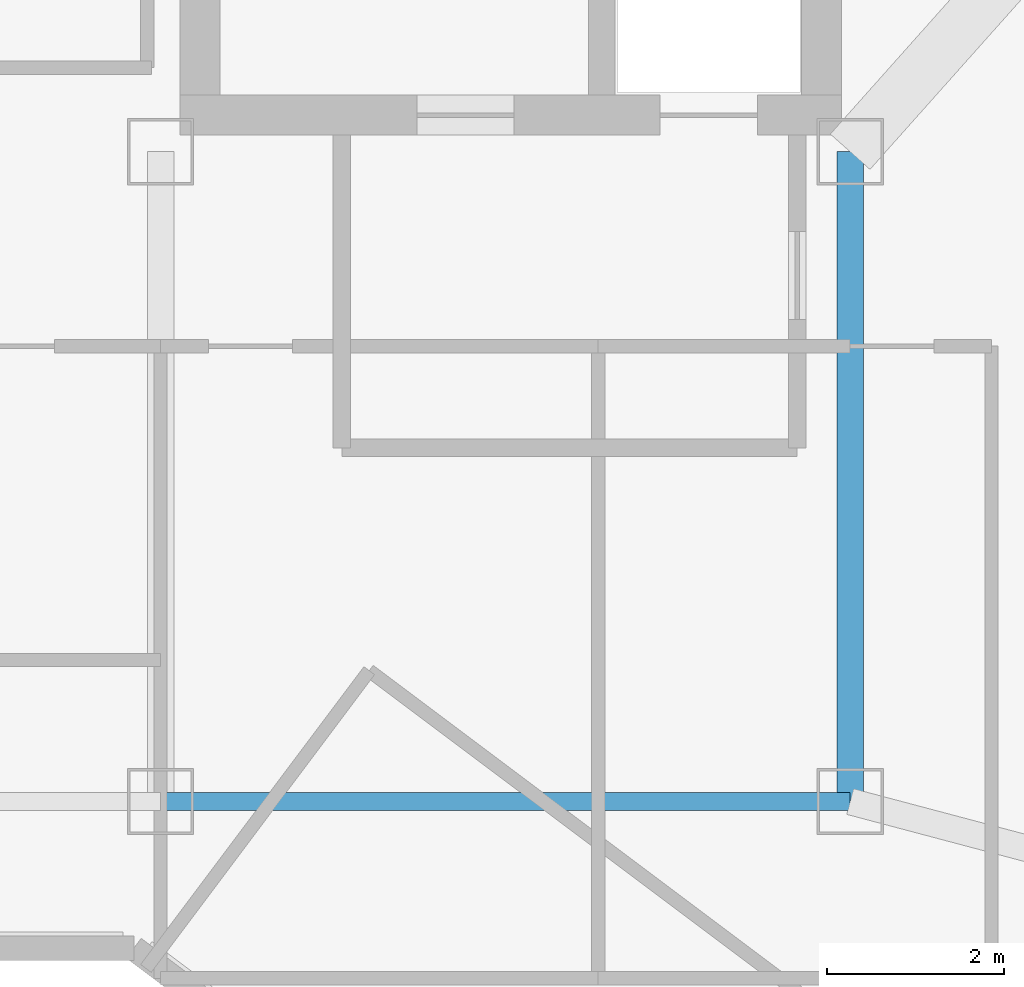
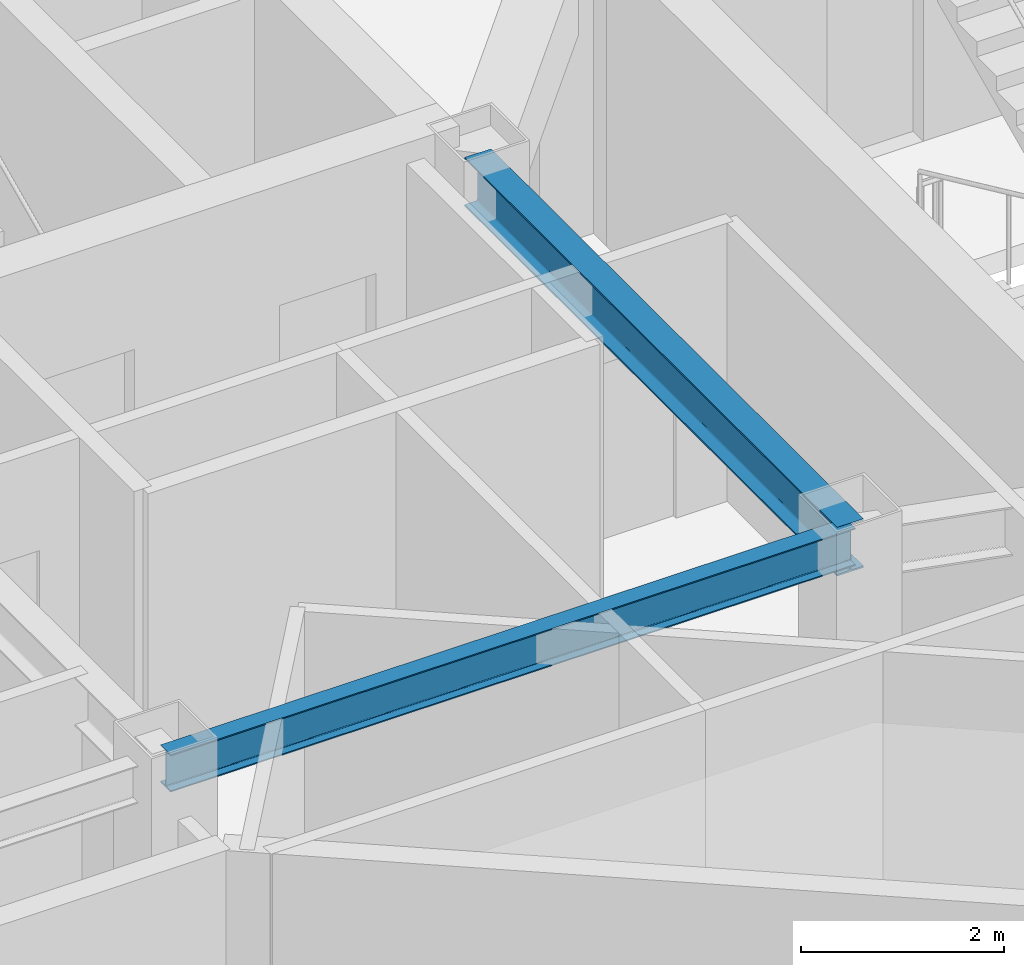
# One storey, part 5 of 26: 2 beams.
"""IFC4 building model written with IfcOpenShell, lengths in metres."""

from ifc_helpers import new_model, si_unit, direction, frame, origin, origin_2d, place, context, subcontext, project, spatial, i_section, extrude, material, material_profile, profile_set, type_object, element, save


model = new_model("IFC4")

# Units and contexts
model_context = context("Model", 3, precision=1e-05, world=origin(), true_north=direction((0.0, 1.0)))
body_context = subcontext(model_context, "Body", "Model", "MODEL_VIEW")
ifc_project = project(units=[si_unit("LENGTHUNIT", "METRE"), si_unit("AREAUNIT", "SQUARE_METRE"), si_unit("VOLUMEUNIT", "CUBIC_METRE"), si_unit("PLANEANGLEUNIT", "RADIAN"), si_unit("MASSUNIT", "GRAM", prefix="KILO")], contexts=[model_context])

# Site, building, storey
site_placement = place(None, origin())
site = spatial("IfcSite", under=ifc_project, at=site_placement, CompositionType="ELEMENT")
building_placement = place(site_placement, origin())
building = spatial("IfcBuilding", under=site, at=building_placement, Name="Hatsunagi Terrace Concourse", CompositionType="ELEMENT")
storey_placement = place(building_placement, frame((0.0, 0.0, 195.14990234375)))
storey = spatial("IfcBuildingStorey", under=building, at=storey_placement, Name="L51", CompositionType="ELEMENT", Elevation=195.14990234375)

# Beams
ifc_material_1 = material(Name="Steel SN490B", Category="steel")
ifc_material_profile_1 = material_profile(ifc_material_1, i_section(OverallWidth=0.300048828125, OverallDepth=0.587890625, WebThickness=0.011962890625, FlangeThickness=0.02001953125, FilletRadius=0.01806640625, at=origin_2d()), Name="H-588x300x12x20")
ifc_profile_set_1 = profile_set([ifc_material_profile_1], Name="Steel SN490B")
beam_type_1 = type_object("IfcBeamType", Name="OfficeHighGirder_H_588x300", PredefinedType="BEAM", material=ifc_profile_set_1)
beam_1_placement = place(storey_placement, frame((33.35009765625, 25.199951171875, 3.05615234375), z_axis=(0.0, 1.0, 0.0), x_axis=(-1.0, 0.0, 0.0)))
element("IfcBeam", 1, at=beam_1_placement, inside=storey, type_object=beam_type_1, Name="Beam G-06 BM-L51-K2CA", PredefinedType="BEAM", context=body_context, shape_type="SweptSolid", body=[
    extrude(i_section(OverallWidth=0.300048828125, OverallDepth=0.587890625, WebThickness=0.011962890625, FlangeThickness=0.02001953125, FilletRadius=0.01806640625, at=origin_2d()), origin(), (0.0, 0.0, 1.0), 7.35009765625),
])
ifc_material_2 = material(Name="Steel SN490B", Category="steel")
ifc_material_profile_2 = material_profile(ifc_material_2, i_section(OverallWidth=0.199951171875, OverallDepth=0.449951171875, WebThickness=0.009033203125, FlangeThickness=0.013916015625, FilletRadius=0.01611328125, at=origin_2d()), Name="H-450x200x9x14")
ifc_profile_set_2 = profile_set([ifc_material_profile_2], Name="Steel SN490B")
beam_type_2 = type_object("IfcBeamType", Name="PerimeterSpandrel_H_450x200", PredefinedType="SPANDREL", material=ifc_profile_set_2)
beam_2_placement = place(storey_placement, frame((25.550048828125, 25.199951171875, 3.125), z_axis=(1.0, 0.0, 0.0), x_axis=(0.0, 1.0, 0.0)))
element("IfcBeam", 2, at=beam_2_placement, inside=storey, type_object=beam_type_2, Name="Beam SP-02 BM-L51-WS-25", PredefinedType="SPANDREL", context=body_context, shape_type="SweptSolid", body=[
    extrude(i_section(OverallWidth=0.199951171875, OverallDepth=0.449951171875, WebThickness=0.009033203125, FlangeThickness=0.013916015625, FilletRadius=0.01611328125, at=origin_2d()), origin(), (0.0, 0.0, 1.0), 7.800048828125),
])

save(model, "model.ifc")
